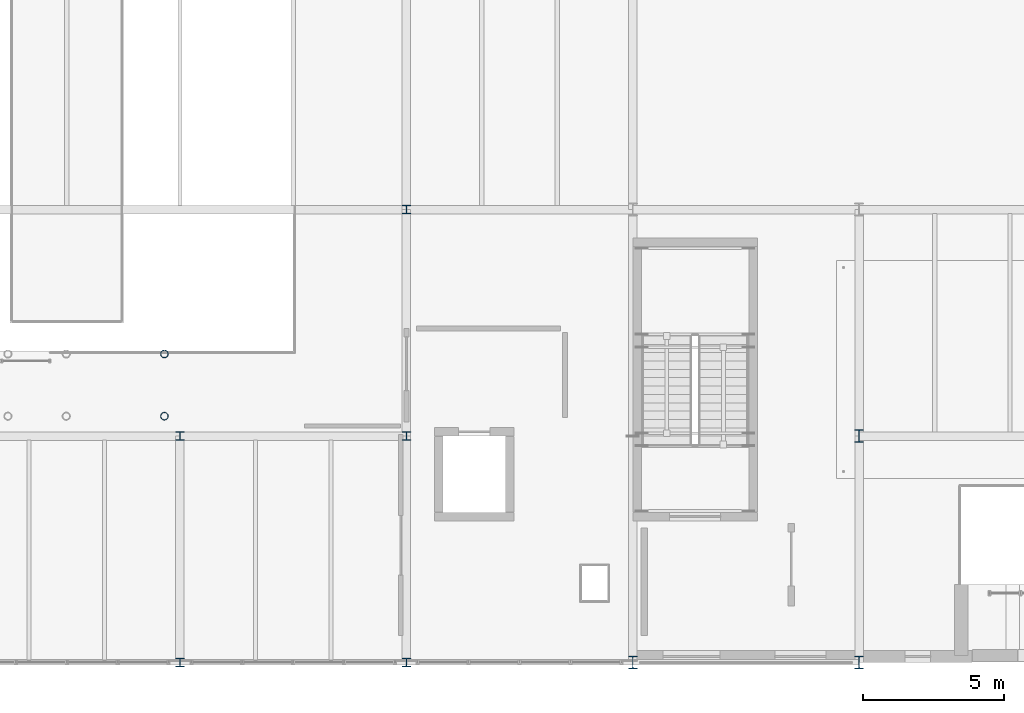
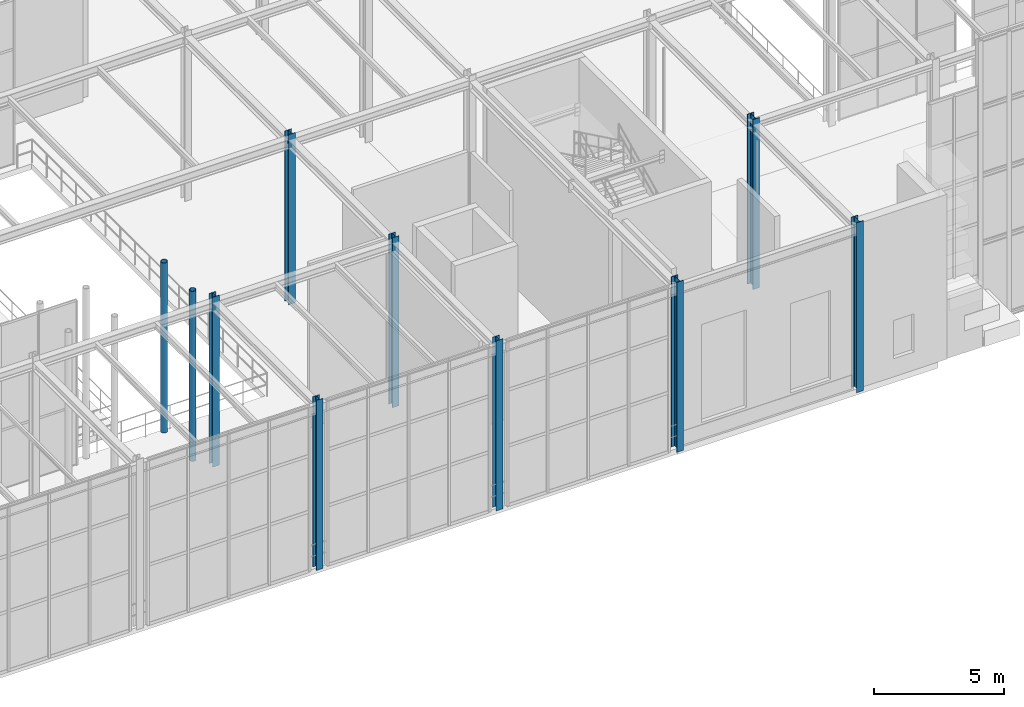
# One storey, part 3 of 138: 10 columns.
"""IFC4 building model written with IfcOpenShell, lengths in metres."""

from ifc_helpers import new_model, si_unit, direction, frame, origin, origin_2d, place, context, subcontext, project, spatial, hollow_circle, i_section, extrude, material, material_profile, profile_set, type_object, element, save


model = new_model("IFC4")

# Units and contexts
model_context = context("Model", 3, precision=1e-05, world=origin(), true_north=direction((0.0, 1.0)))
body_context = subcontext(model_context, "Body", "Model", "MODEL_VIEW")
ifc_project = project(units=[si_unit("LENGTHUNIT", "METRE"), si_unit("AREAUNIT", "SQUARE_METRE"), si_unit("VOLUMEUNIT", "CUBIC_METRE"), si_unit("PLANEANGLEUNIT", "RADIAN"), si_unit("MASSUNIT", "GRAM", prefix="KILO")], contexts=[model_context])

# Site, building, storey
site_placement = place(None, origin())
site = spatial("IfcSite", under=ifc_project, at=site_placement, CompositionType="ELEMENT")
building_placement = place(site_placement, origin())
building = spatial("IfcBuilding", under=site, at=building_placement, Name="Sundkrona Museum", CompositionType="ELEMENT")
storey_placement = place(building_placement, frame((0.0, 0.0, 9.60009765625)))
storey = spatial("IfcBuildingStorey", under=building, at=storey_placement, Name="L02", CompositionType="ELEMENT", Elevation=9.60009765625)

# Columns
ifc_material = material(Name="Steel S355J2", Category="steel")
ifc_material_profile_1 = material_profile(ifc_material, hollow_circle(Radius=0.136474609375, WallThickness=0.012451171875, at=origin_2d()), Name="CHS 273.0x12.5")
ifc_profile_set_1 = profile_set([ifc_material_profile_1], Name="Steel S355J2")
column_type_1 = type_object("IfcColumnType", Name="C-CHS273", PredefinedType="COLUMN", material=ifc_profile_set_1)
for number, where, z_axis, x_axis, name in (
    (1, (103.449951171875, 8.699951171875, 0.0), (0.0, 0.0, 1.0), (1.0, 0.0, 0.0), "L02 Feature Stair FS-4 Column S3-1"),
    (2, (103.449951171875, 10.89990234375, 0.0), (0.0, 0.0, 1.0), (1.0, 0.0, 0.0), "L02 Feature Stair FS-4 Column S3-2"),
):
    element("IfcColumn", number, at=place(storey_placement, frame(where, z_axis=z_axis, x_axis=x_axis)), inside=storey, type_object=column_type_1, Name=name, PredefinedType="COLUMN", context=body_context, shape_type="SweptSolid", body=[
        extrude(hollow_circle(Radius=0.136474609375, WallThickness=0.012451171875, at=origin_2d()), origin(), (0.0, 0.0, 1.0), 8.0),
    ])
ifc_material_profile_2 = material_profile(ifc_material, i_section(OverallWidth=0.300048828125, OverallDepth=0.300048828125, WebThickness=0.010986328125, FlangeThickness=0.01904296875, FilletRadius=0.027099609375, at=origin_2d()), Name="HEB 300")
ifc_profile_set_2 = profile_set([ifc_material_profile_2], Name="Steel S355J2")
column_type_2 = type_object("IfcColumnType", Name="C-HEB300", PredefinedType="COLUMN", material=ifc_profile_set_2)
for number, where, z_axis, x_axis, name in (
    (3, (104.0, 0.0, 0.0), (0.0, 0.0, 1.0), (1.0, 0.0, 0.0), "L02 Column A/14"),
    (4, (104.0, 8.0, 0.0), (0.0, 0.0, 1.0), (1.0, 0.0, 0.0), "L02 Column B/14"),
    (5, (112.0, 0.0, 0.0), (0.0, 0.0, 1.0), (1.0, 0.0, 0.0), "L02 Column A/15"),
    (6, (112.0, 8.0, 0.0), (0.0, 0.0, 1.0), (1.0, 0.0, 0.0), "L02 Column B/15"),
    (7, (112.0, 16.0, 0.0), (0.0, 0.0, 1.0), (1.0, 0.0, 0.0), "L02 Column C/15"),
):
    element("IfcColumn", number, at=place(storey_placement, frame(where, z_axis=z_axis, x_axis=x_axis)), inside=storey, type_object=column_type_2, Name=name, PredefinedType="COLUMN", context=body_context, shape_type="SweptSolid", body=[
        extrude(i_section(OverallWidth=0.300048828125, OverallDepth=0.300048828125, WebThickness=0.010986328125, FlangeThickness=0.01904296875, FilletRadius=0.027099609375, at=origin_2d()), origin(), (0.0, 0.0, 1.0), 8.0),
    ])
ifc_material_profile_3 = material_profile(ifc_material, i_section(OverallWidth=0.300048828125, OverallDepth=0.449951171875, WebThickness=0.013916015625, FlangeThickness=0.02587890625, FilletRadius=0.027099609375, at=origin_2d()), Name="HEB 450")
ifc_profile_set_3 = profile_set([ifc_material_profile_3], Name="Steel S355J2")
column_type_3 = type_object("IfcColumnType", Name="C-HEB450", PredefinedType="COLUMN", material=ifc_profile_set_3)
for number, where, z_axis, x_axis, name in (
    (8, (120.0, 0.0, 0.0), (0.0, 0.0, 1.0), (1.0, 0.0, 0.0), "L02 Column A/16"),
    (9, (128.0, 0.0, 0.0), (0.0, 0.0, 1.0), (1.0, 0.0, 0.0), "L02 Column A/17"),
    (10, (128.0, 8.0, 0.0), (0.0, 0.0, 1.0), (1.0, 0.0, 0.0), "L02 Column B/17"),
):
    element("IfcColumn", number, at=place(storey_placement, frame(where, z_axis=z_axis, x_axis=x_axis)), inside=storey, type_object=column_type_3, Name=name, PredefinedType="COLUMN", context=body_context, shape_type="SweptSolid", body=[
        extrude(i_section(OverallWidth=0.300048828125, OverallDepth=0.449951171875, WebThickness=0.013916015625, FlangeThickness=0.02587890625, FilletRadius=0.027099609375, at=origin_2d()), origin(), (0.0, 0.0, 1.0), 8.0),
    ])

save(model, "model.ifc")
